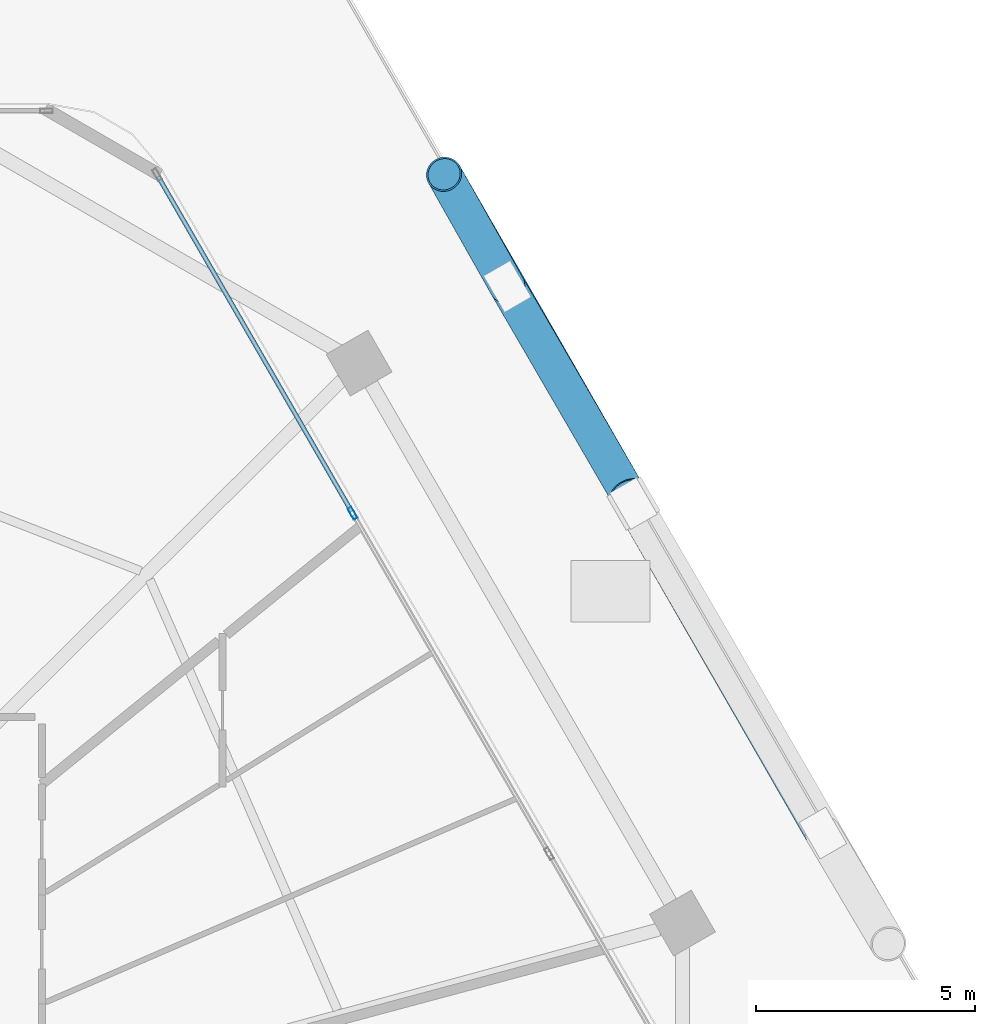
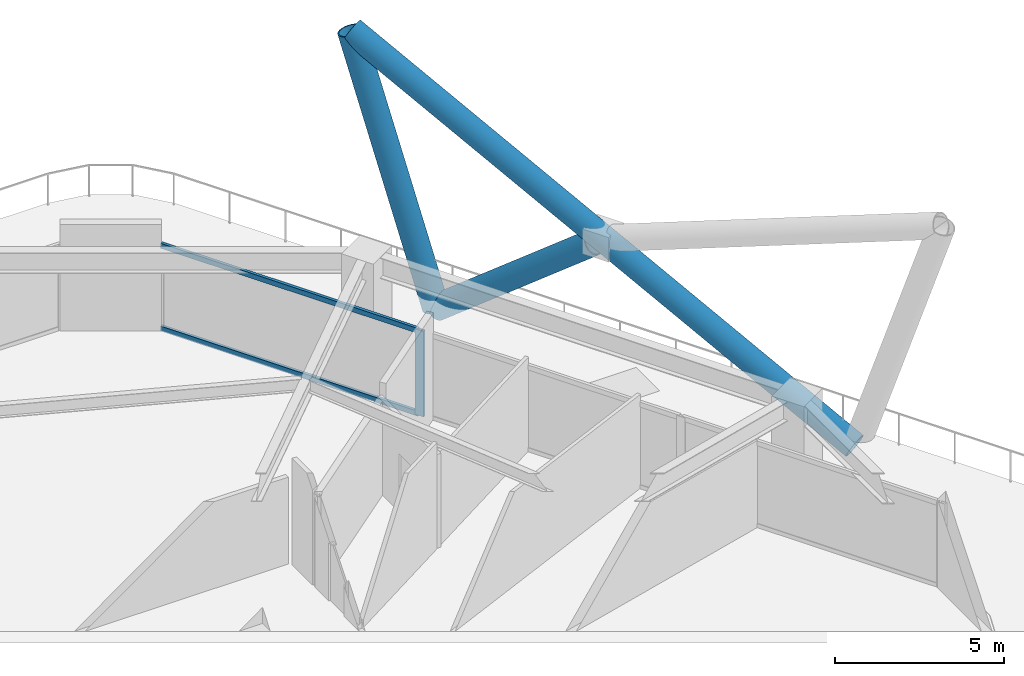
# One storey, part 21 of 28: 6 members, 1 element without a shape of its own.
"""IFC4 building model written with IfcOpenShell, lengths in metres."""

from ifc_helpers import new_model, si_unit, direction, frame, origin, origin_2d, place, context, subcontext, project, spatial, hollow_rectangle, hollow_circle, extrude, material, material_profile, profile_set, type_object, element, aggregate, save


model = new_model("IFC4")

# Units and contexts
model_context = context("Model", 3, precision=1e-05, world=origin(), true_north=direction((0.0, 1.0)))
body_context = subcontext(model_context, "Body", "Model", "MODEL_VIEW")
ifc_project = project(units=[si_unit("LENGTHUNIT", "METRE"), si_unit("AREAUNIT", "SQUARE_METRE"), si_unit("VOLUMEUNIT", "CUBIC_METRE"), si_unit("PLANEANGLEUNIT", "RADIAN"), si_unit("MASSUNIT", "GRAM", prefix="KILO")], contexts=[model_context])

# Site, building, storey
site_placement = place(None, origin())
site = spatial("IfcSite", under=ifc_project, at=site_placement, CompositionType="ELEMENT")
building_placement = place(site_placement, origin())
building = spatial("IfcBuilding", under=site, at=building_placement, Name="Zuhravey Tower", CompositionType="ELEMENT")
storey_placement = place(building_placement, frame((0.0, 0.0, 83.39990234375)))
storey = spatial("IfcBuildingStorey", under=building, at=storey_placement, Name="L20", CompositionType="ELEMENT", Elevation=83.39990234375)

# Members
ifc_material_1 = material(Name="Steel SM460", Category="steel")
ifc_material_profile_1 = material_profile(ifc_material_1, hollow_circle(Radius=0.406494140625, WallThickness=0.035888671875, at=origin_2d()), Name="CHS-812.8x36")
ifc_profile_set_1 = profile_set([ifc_material_profile_1], Name="Steel SM460")
member_type_1 = type_object("IfcMemberType", Name="Exoskeleton Zone 1 Diagrid CHS813x36", PredefinedType="BRACE", material=ifc_profile_set_1)
member_1_placement = place(storey_placement, frame((67.07080078125, 41.680908203125, -0.471923828125), z_axis=(-0.442087322589, 0.768788021053, 0.462086331644), x_axis=(-0.866889632842, -0.498500114815, 0.0)))
element("IfcMember", 1, at=member_1_placement, inside=storey, type_object=member_type_1, Name="L20 Face 1 Diagrid Brace 2", PredefinedType="BRACE", context=body_context, shape_type="SweptSolid", body=[
    extrude(hollow_circle(Radius=0.406494140625, WallThickness=0.035888671875, at=origin_2d()), origin(), (0.0, 0.0, 1.0), 19.44677734375),
])
member_2_placement = place(storey_placement, frame((59.89453125, 54.110595703125, -0.471923828125), z_axis=(-0.152198102067, 0.269937231263, 0.950773174267), x_axis=(-0.871080888564, -0.491139578509, 0.0)))
element("IfcMember", 2, at=member_2_placement, inside=storey, type_object=member_type_1, Name="L20 Face 1 Diagrid Brace 4", PredefinedType="BRACE", context=body_context, shape_type="SweptSolid", body=[
    extrude(hollow_circle(Radius=0.406494140625, WallThickness=0.035888671875, at=origin_2d()), origin(), (0.0, 0.0, 1.0), 9.451416015625),
])
member_3_placement = place(storey_placement, frame((59.916748046875, 54.072021484375, -0.46435546875), z_axis=(0.39433735722, -0.678855184513, 0.619397842392), x_axis=(0.864698564493, 0.502291143227, 0.0)))
element("IfcMember", 3, at=member_3_placement, inside=storey, type_object=member_type_1, Name="L20 Face 1 Split Diagrid Brace 3A", PredefinedType="BRACE", context=body_context, shape_type="SweptSolid", body=[
    extrude(hollow_circle(Radius=0.406494140625, WallThickness=0.035888671875, at=origin_2d()), origin(), (0.0, 0.0, 1.0), 6.844970703125),
])

# Curtain wall, members
ifc_material_2 = material(Name="Thermally broken anodised aluminium", Category="aluminium")
curtain_wall_type = type_object("IfcCurtainWallType", Name="Sky-Playground Recessed Curtain Wall CW2", PredefinedType="NOTDEFINED", material=ifc_material_2)
curtain_wall_placement = place(storey_placement, origin())
curtain_wall = element("IfcCurtainWall", 4, at=curtain_wall_placement, inside=storey, type_object=curtain_wall_type, Name="L20 CW2 CW-L20-F1-1", PredefinedType="NOTDEFINED")
ifc_material_3 = material(Name="Anodised aluminium", Category="aluminium")
ifc_material_profile_2 = material_profile(ifc_material_3, hollow_rectangle(XDim=0.10009765625, YDim=0.2900390625, WallThickness=0.006103515625, at=origin_2d()), Name="ALU-RHS-100x290x6")
ifc_profile_set_2 = profile_set([ifc_material_profile_2], Name="Anodised aluminium")
member_type_2 = type_object("IfcMemberType", Name="Heavy Tall-Storey Mullion 100x220", PredefinedType="MULLION", material=ifc_profile_set_2)
member_4_placement = place(storey_placement, frame((56.3701171875, 48.934814453125, 0.0), z_axis=(0.0, 0.0, 1.0), x_axis=(0.866025967368, 0.499999023843, 0.0)))
member_4 = element("IfcMember", 5, at=member_4_placement, type_object=member_type_2, Name="CW2 mullion 2", PredefinedType="MULLION", context=body_context, shape_type="SweptSolid", body=[
    extrude(hollow_rectangle(XDim=0.10009765625, YDim=0.2900390625, WallThickness=0.006103515625, at=origin_2d()), origin(), (0.0, 0.0, 1.0), 3.10009765625),
])
ifc_material_profile_3 = material_profile(ifc_material_3, hollow_rectangle(XDim=0.10009765625, YDim=0.179931640625, WallThickness=0.006103515625, at=origin_2d()), Name="ALU-RHS-100x180x6")
ifc_profile_set_3 = profile_set([ifc_material_profile_3], Name="Anodised aluminium")
member_type_3 = type_object("IfcMemberType", Name="Tall-Storey Transom 100x180", PredefinedType="USERDEFINED", material=ifc_profile_set_3)
member_5_placement = place(storey_placement, frame((51.939208984375, 56.609375, 0.050048828125), z_axis=(0.50000385009, -0.866023180923, 0.0), x_axis=(0.866023180923, 0.50000385009, 0.0)))
member_5 = element("IfcMember", 6, at=member_5_placement, type_object=member_type_3, Name="CW2 transom 1.1", ObjectType="TRANSOM", PredefinedType="USERDEFINED", context=body_context, shape_type="SweptSolid", body=[
    extrude(hollow_rectangle(XDim=0.10009765625, YDim=0.179931640625, WallThickness=0.006103515625, at=origin_2d()), origin(), (0.0, 0.0, 1.0), 8.81201171875),
])
member_6_placement = place(storey_placement, frame((51.939208984375, 56.609375, 3.050048828125), z_axis=(0.50000385009, -0.866023180923, 0.0), x_axis=(0.866023180923, 0.50000385009, 0.0)))
member_6 = element("IfcMember", 7, at=member_6_placement, type_object=member_type_3, Name="CW2 transom 1.2", ObjectType="TRANSOM", PredefinedType="USERDEFINED", context=body_context, shape_type="SweptSolid", body=[
    extrude(hollow_rectangle(XDim=0.10009765625, YDim=0.179931640625, WallThickness=0.006103515625, at=origin_2d()), origin(), (0.0, 0.0, 1.0), 8.81201171875),
])
aggregate(curtain_wall, [member_4, member_5, member_6])

save(model, "model.ifc")
